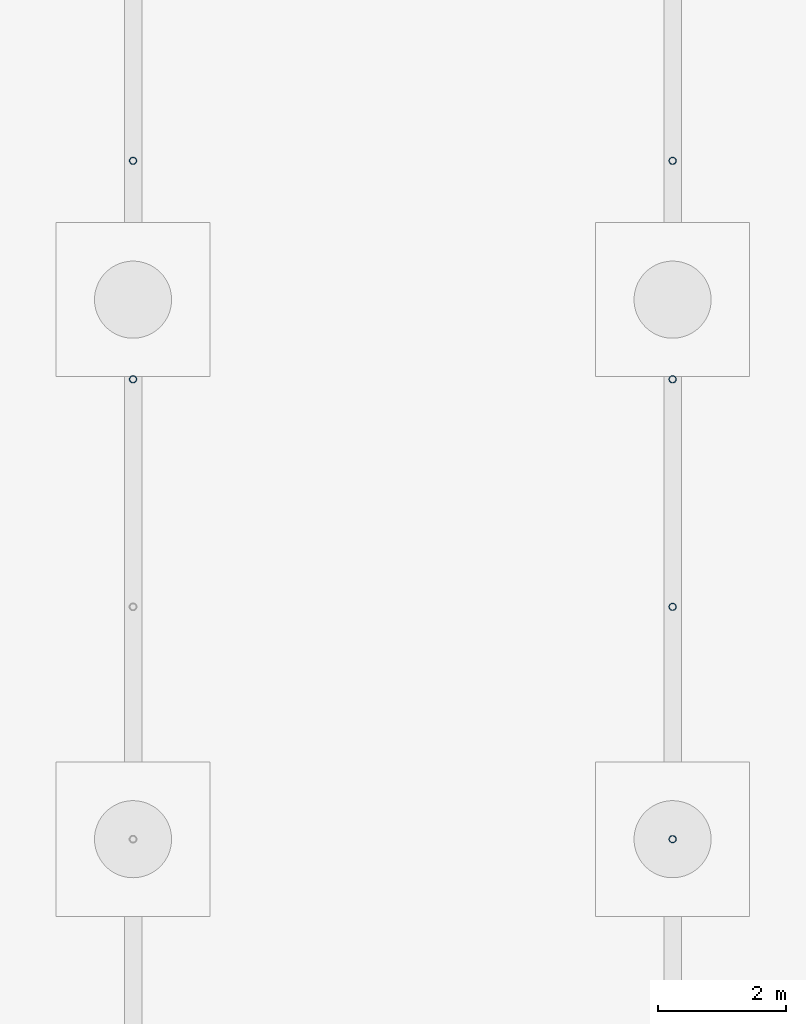
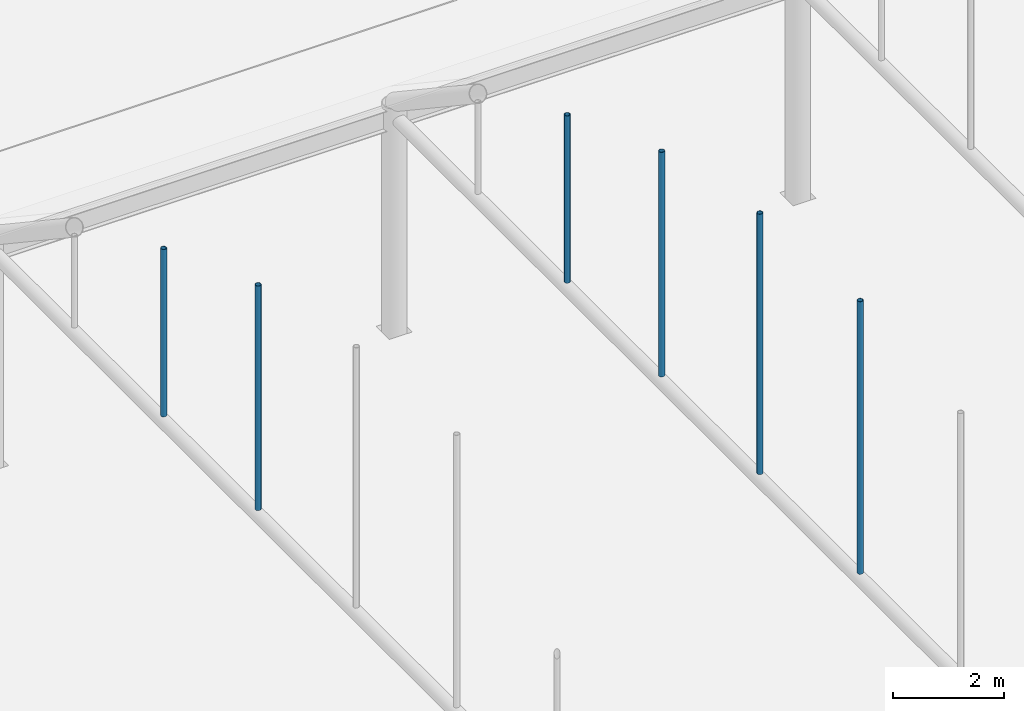
# One storey, part 52 of 212: 6 members.
"""IFC4 building model written with IfcOpenShell, lengths in metres."""

from ifc_helpers import new_model, si_unit, direction, frame, origin, origin_2d, place, context, subcontext, project, spatial, hollow_circle, extrude, material, material_profile, profile_set, type_object, element, save


model = new_model("IFC4")

# Units and contexts
model_context = context("Model", 3, precision=1e-05, world=origin(), true_north=direction((0.0, 1.0)))
body_context = subcontext(model_context, "Body", "Model", "MODEL_VIEW")
ifc_project = project(units=[si_unit("LENGTHUNIT", "METRE"), si_unit("AREAUNIT", "SQUARE_METRE"), si_unit("VOLUMEUNIT", "CUBIC_METRE"), si_unit("PLANEANGLEUNIT", "RADIAN"), si_unit("MASSUNIT", "GRAM", prefix="KILO")], contexts=[model_context])

# Site, building, storey
site_placement = place(None, origin())
site = spatial("IfcSite", under=ifc_project, at=site_placement, CompositionType="ELEMENT")
building_placement = place(site_placement, origin())
building = spatial("IfcBuilding", under=site, at=building_placement, Name="Catenary Quay Ferry Terminal", CompositionType="ELEMENT")
storey_placement = place(building_placement, origin())
storey = spatial("IfcBuildingStorey", under=building, at=storey_placement, Name="L00", CompositionType="ELEMENT", Elevation=0.0)

# Members
ifc_material = material(Name="Steel S355", Category="steel")
ifc_material_profile = material_profile(ifc_material, hollow_circle(Radius=0.05712890625, WallThickness=0.00634765625, at=origin_2d()), Name="CHS 114.3x6.3")
ifc_profile_set = profile_set([ifc_material_profile], Name="Steel S355")
member_type = type_object("IfcMemberType", Name="HG1 CHS 114.3x6.3", PredefinedType="POST", material=ifc_profile_set)
member_1_placement = place(storey_placement, frame((33.60009765625, 40.760009765625, 4.830078125), z_axis=(0.0, 0.0, 1.0), x_axis=(1.0, 0.0, 0.0)))
element("IfcMember", 1, at=member_1_placement, inside=storey, type_object=member_type, Name="Hanger CA-03-07", PredefinedType="POST", context=body_context, shape_type="SweptSolid", body=[
    extrude(hollow_circle(Radius=0.05712890625, WallThickness=0.00634765625, at=origin_2d()), origin(), (0.0, 0.0, 1.0), 4.94287109375),
])
member_2_placement = place(storey_placement, frame((33.60009765625, 44.162109375, 4.830078125), z_axis=(0.0, 0.0, 1.0), x_axis=(1.0, 0.0, 0.0)))
element("IfcMember", 2, at=member_2_placement, inside=storey, type_object=member_type, Name="Hanger CA-03-08", PredefinedType="POST", context=body_context, shape_type="SweptSolid", body=[
    extrude(hollow_circle(Radius=0.05712890625, WallThickness=0.00634765625, at=origin_2d()), origin(), (0.0, 0.0, 1.0), 3.681884765625),
])
member_3_placement = place(storey_placement, frame((42.0, 33.60009765625, 4.830078125), z_axis=(0.0, 0.0, 1.0), x_axis=(1.0, 0.0, 0.0)))
element("IfcMember", 3, at=member_3_placement, inside=storey, type_object=member_type, Name="Hanger CA-04-05", PredefinedType="POST", context=body_context, shape_type="SweptSolid", body=[
    extrude(hollow_circle(Radius=0.05712890625, WallThickness=0.00634765625, at=origin_2d()), origin(), (0.0, 0.0, 1.0), 5.997802734375),
])
member_4_placement = place(storey_placement, frame((42.0, 37.218017578125, 4.830078125), z_axis=(0.0, 0.0, 1.0), x_axis=(1.0, 0.0, 0.0)))
element("IfcMember", 4, at=member_4_placement, inside=storey, type_object=member_type, Name="Hanger CA-04-06", PredefinedType="POST", context=body_context, shape_type="SweptSolid", body=[
    extrude(hollow_circle(Radius=0.05712890625, WallThickness=0.00634765625, at=origin_2d()), origin(), (0.0, 0.0, 1.0), 5.72998046875),
])
member_5_placement = place(storey_placement, frame((42.0, 40.760009765625, 4.830078125), z_axis=(0.0, 0.0, 1.0), x_axis=(1.0, 0.0, 0.0)))
element("IfcMember", 5, at=member_5_placement, inside=storey, type_object=member_type, Name="Hanger CA-04-07", PredefinedType="POST", context=body_context, shape_type="SweptSolid", body=[
    extrude(hollow_circle(Radius=0.05712890625, WallThickness=0.00634765625, at=origin_2d()), origin(), (0.0, 0.0, 1.0), 4.94287109375),
])
member_6_placement = place(storey_placement, frame((42.0, 44.162109375, 4.830078125), z_axis=(0.0, 0.0, 1.0), x_axis=(1.0, 0.0, 0.0)))
element("IfcMember", 6, at=member_6_placement, inside=storey, type_object=member_type, Name="Hanger CA-04-08", PredefinedType="POST", context=body_context, shape_type="SweptSolid", body=[
    extrude(hollow_circle(Radius=0.05712890625, WallThickness=0.00634765625, at=origin_2d()), origin(), (0.0, 0.0, 1.0), 3.681884765625),
])

save(model, "model.ifc")
